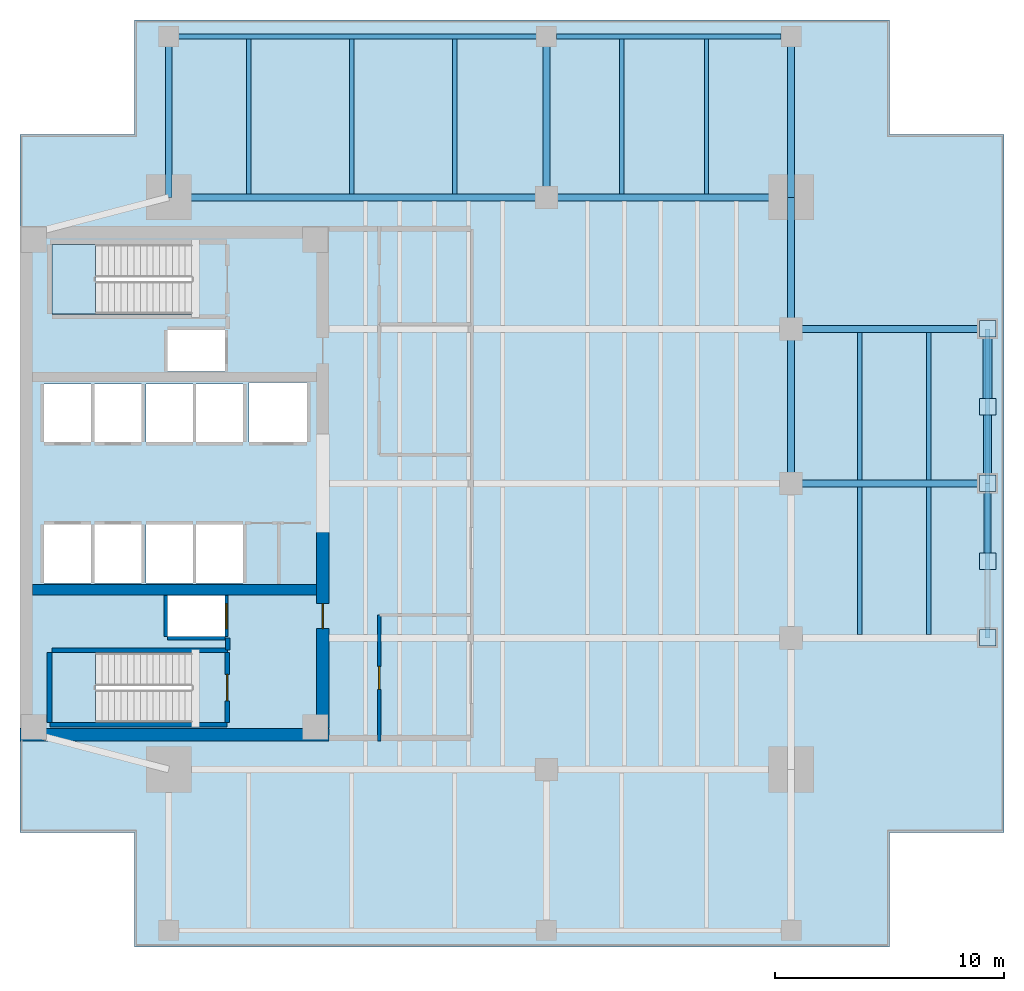
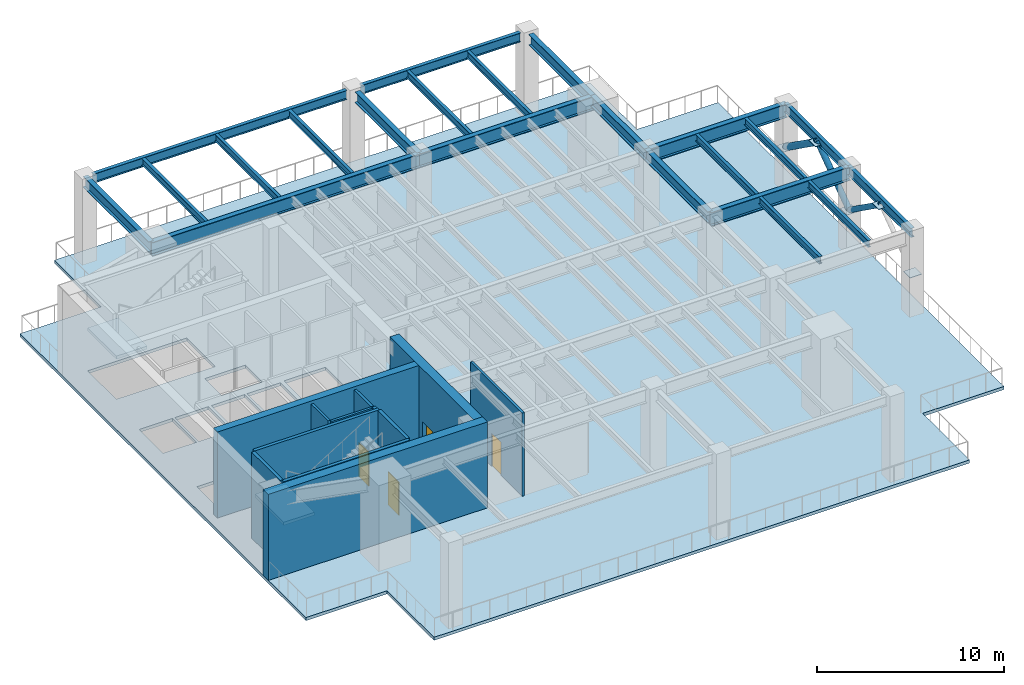
# One storey, part 2 of 8: 22 beams, 12 walls, 5 plates, 4 doors, 3 members, 3 slabs, 4 openings, 2 elements without a shape of their own.
"""IFC4 building model written with IfcOpenShell, lengths in metres."""

from ifc_helpers import new_model, si_unit, direction, frame, frame_2d, origin, origin_2d, place, context, subcontext, project, spatial, polyline, rectangle, hollow_circle, i_section, outline, extrude, material, layer, layer_set, material_profile, profile_set, type_object, element, fill, aggregate, save


model = new_model("IFC4")

# Units and contexts
model_context = context("Model", 3, precision=1e-05, world=origin(), true_north=direction((0.0, 1.0)))
body_context = subcontext(model_context, "Body", "Model", "MODEL_VIEW")
ifc_project = project(units=[si_unit("LENGTHUNIT", "METRE"), si_unit("AREAUNIT", "SQUARE_METRE"), si_unit("VOLUMEUNIT", "CUBIC_METRE"), si_unit("PLANEANGLEUNIT", "RADIAN"), si_unit("MASSUNIT", "GRAM", prefix="KILO")], contexts=[model_context])

# Site, building, storey
site_placement = place(None, origin())
site = spatial("IfcSite", under=ifc_project, at=site_placement, CompositionType="ELEMENT")
building_placement = place(site_placement, origin())
building = spatial("IfcBuilding", under=site, at=building_placement, Name="Kinhvarn Gate Tower", CompositionType="ELEMENT")
storey_placement = place(building_placement, frame((0.0, 0.0, 178.050048828125)))
storey = spatial("IfcBuildingStorey", under=building, at=storey_placement, Name="L47", CompositionType="ELEMENT", Elevation=178.050048828125)

# Beams
ifc_material_1 = material(Name="Steel S355", Category="steel")
ifc_material_profile_1 = material_profile(ifc_material_1, i_section(OverallWidth=0.300048828125, OverallDepth=0.89990234375, WebThickness=0.0185546875, FlangeThickness=0.034912109375, at=origin_2d()), Name="HEB 900")
ifc_profile_set_1 = profile_set([ifc_material_profile_1], Name="Steel S355")
beam_type_1 = type_object("IfcBeamType", Name="BM-HEB900", PredefinedType="BEAM", material=ifc_profile_set_1)
beam_1_placement = place(storey_placement, frame((11.0, 37.75, 4.969970703125), z_axis=(1.0, 0.0, 0.0), x_axis=(0.0, 1.0, 0.0)))
element("IfcBeam", 1, at=beam_1_placement, inside=storey, type_object=beam_type_1, Name="Floor Beam HG-20 (L47 MG-N1)", PredefinedType="BEAM", context=body_context, shape_type="SweptSolid", body=[
    extrude(i_section(OverallWidth=0.300048828125, OverallDepth=0.89990234375, WebThickness=0.0185546875, FlangeThickness=0.034912109375, at=origin_2d()), origin(), (0.0, 0.0, 1.0), 16.5),
])
beam_2_placement = place(storey_placement, frame((27.5, 37.75, 4.969970703125), z_axis=(1.0, 0.0, 0.0), x_axis=(0.0, 1.0, 0.0)))
element("IfcBeam", 2, at=beam_2_placement, inside=storey, type_object=beam_type_1, Name="Floor Beam HG-20 (L47 MG-N2)", PredefinedType="BEAM", context=body_context, shape_type="SweptSolid", body=[
    extrude(i_section(OverallWidth=0.300048828125, OverallDepth=0.89990234375, WebThickness=0.0185546875, FlangeThickness=0.034912109375, at=origin_2d()), origin(), (0.0, 0.0, 1.0), 10.699951171875),
])
for number, where, z_axis, x_axis, name in (
    (3, (38.199951171875, 25.25, 4.969970703125), (1.0, 0.0, 0.0), (0.0, 1.0, 0.0), "Floor Beam HG-20 (L47 EW2-Y25)"),
    (4, (38.199951171875, 32.0, 4.969970703125), (1.0, 0.0, 0.0), (0.0, 1.0, 0.0), "Floor Beam HG-20 (L47 EW2-Y32)"),
):
    element("IfcBeam", number, at=place(storey_placement, frame(where, z_axis=z_axis, x_axis=x_axis)), inside=storey, type_object=beam_type_1, Name=name, PredefinedType="BEAM", context=body_context, shape_type="SweptSolid", body=[
        extrude(i_section(OverallWidth=0.300048828125, OverallDepth=0.89990234375, WebThickness=0.0185546875, FlangeThickness=0.034912109375, at=origin_2d()), origin(), (0.0, 0.0, 1.0), 8.580078125),
    ])

# Members
ifc_material_profile_2 = material_profile(ifc_material_1, hollow_circle(Radius=0.161865234375, WallThickness=0.01611328125, at=origin_2d()), Name="CHS 323.9x16")
ifc_profile_set_2 = profile_set([ifc_material_profile_2], Name="Steel S355")
member_type_1 = type_object("IfcMemberType", Name="MBR-CHS323_9x16", PredefinedType="BRACE", material=ifc_profile_set_2)
member_1_placement = place(storey_placement, frame((46.780029296875, 21.85009765625, 4.919921875), z_axis=(0.0, 0.814704737563, -0.579876013121), x_axis=(-1.0, 0.0, 0.0)))
element("IfcMember", 5, at=member_1_placement, inside=storey, type_object=member_type_1, Name="Wind-Portal Header Brace BR-12 (CHS 323.9x16)", PredefinedType="BRACE", context=body_context, shape_type="SweptSolid", body=[
    extrude(hollow_circle(Radius=0.161865234375, WallThickness=0.01611328125, at=origin_2d()), origin(), (0.0, 0.0, 1.0), 4.173095703125),
])
ifc_material_profile_3 = material_profile(ifc_material_1, hollow_circle(Radius=0.177734375, WallThickness=0.01611328125, at=origin_2d()), Name="CHS 355.6x16")
ifc_profile_set_3 = profile_set([ifc_material_profile_3], Name="Steel S355")
member_type_2 = type_object("IfcMemberType", Name="MBR-CHS355_6x16", PredefinedType="STRUT", material=ifc_profile_set_3)
member_2_placement = place(storey_placement, frame((46.780029296875, 25.25, 2.5), z_axis=(0.0, 0.810632492751, 0.585555259302), x_axis=(-1.0, 0.0, 0.0)))
element("IfcMember", 6, at=member_2_placement, inside=storey, type_object=member_type_2, Name="Wind-Portal Header Brace SR-13 (CHS 355.6x16)", PredefinedType="STRUT", context=body_context, shape_type="SweptSolid", body=[
    extrude(hollow_circle(Radius=0.177734375, WallThickness=0.01611328125, at=origin_2d()), origin(), (0.0, 0.0, 1.0), 4.1328125),
])
ifc_material_profile_4 = material_profile(ifc_material_1, hollow_circle(Radius=0.203125, WallThickness=0.02001953125, at=origin_2d()), Name="CHS 406.4x20")
ifc_profile_set_4 = profile_set([ifc_material_profile_4], Name="Steel S355")
member_type_3 = type_object("IfcMemberType", Name="MBR-CHS406_4x20", PredefinedType="STRUT", material=ifc_profile_set_4)
member_3_placement = place(storey_placement, frame((46.780029296875, 28.60009765625, 4.919921875), z_axis=(0.0, 0.814704737563, -0.579876013121), x_axis=(-1.0, 0.0, 0.0)))
element("IfcMember", 7, at=member_3_placement, inside=storey, type_object=member_type_3, Name="Wind-Portal Header Brace SR-14 (CHS 406.4x20)", PredefinedType="STRUT", context=body_context, shape_type="SweptSolid", body=[
    extrude(hollow_circle(Radius=0.203125, WallThickness=0.02001953125, at=origin_2d()), origin(), (0.0, 0.0, 1.0), 4.173095703125),
])

# Beams
ifc_material_profile_5 = material_profile(ifc_material_1, i_section(OverallWidth=0.300048828125, OverallDepth=0.699951171875, WebThickness=0.01708984375, FlangeThickness=0.031982421875, at=origin_2d()), Name="HEB 700")
ifc_profile_set_5 = profile_set([ifc_material_profile_5], Name="Steel S355")
beam_type_2 = type_object("IfcBeamType", Name="STL-HEB700", PredefinedType="BEAM", material=ifc_profile_set_5)
beam_3_placement = place(storey_placement, frame((11.0, 37.75, 5.070068359375), z_axis=(0.0, 1.0, 0.0), x_axis=(-1.0, 0.0, 0.0)))
element("IfcBeam", 8, at=beam_3_placement, inside=storey, type_object=beam_type_2, Name="Floor Beam PG-18 (L47 MCW-N)", PredefinedType="BEAM", context=body_context, shape_type="SweptSolid", body=[
    extrude(i_section(OverallWidth=0.300048828125, OverallDepth=0.699951171875, WebThickness=0.01708984375, FlangeThickness=0.031982421875, at=origin_2d()), origin(), (0.0, 0.0, 1.0), 7.030029296875),
])
for number, where, z_axis, x_axis, name in (
    (9, (27.5, 37.75, 5.070068359375), (0.0, 1.0, 0.0), (-1.0, 0.0, 0.0), "Floor Beam PG-18 (L47 SP27-N-TIE)"),
    (10, (38.199951171875, 37.75, 5.070068359375), (0.0, 1.0, 0.0), (-1.0, 0.0, 0.0), "Floor Beam PG-18 (L47 MCE-N)"),
):
    element("IfcBeam", number, at=place(storey_placement, frame(where, z_axis=z_axis, x_axis=x_axis)), inside=storey, type_object=beam_type_2, Name=name, PredefinedType="BEAM", context=body_context, shape_type="SweptSolid", body=[
        extrude(i_section(OverallWidth=0.300048828125, OverallDepth=0.699951171875, WebThickness=0.01708984375, FlangeThickness=0.031982421875, at=origin_2d()), origin(), (0.0, 0.0, 1.0), 6.594970703125),
    ])
beam_4_placement = place(storey_placement, frame((38.199951171875, 25.25, 5.070068359375), z_axis=(0.0, 1.0, 0.0), x_axis=(-1.0, 0.0, 0.0)))
element("IfcBeam", 11, at=beam_4_placement, inside=storey, type_object=beam_type_2, Name="Floor Beam PG-18 (L47 MG-E-25)", PredefinedType="BEAM", context=body_context, shape_type="SweptSolid", body=[
    extrude(i_section(OverallWidth=0.300048828125, OverallDepth=0.699951171875, WebThickness=0.01708984375, FlangeThickness=0.031982421875, at=origin_2d()), origin(), (0.0, 0.0, 1.0), 6.75),
])
beam_5_placement = place(storey_placement, frame((38.199951171875, 32.0, 5.070068359375), z_axis=(0.0, 1.0, 0.0), x_axis=(-1.0, 0.0, 0.0)))
element("IfcBeam", 12, at=beam_5_placement, inside=storey, type_object=beam_type_2, Name="Floor Beam PG-18 (L47 MG-E-32)", PredefinedType="BEAM", context=body_context, shape_type="SweptSolid", body=[
    extrude(i_section(OverallWidth=0.300048828125, OverallDepth=0.699951171875, WebThickness=0.01708984375, FlangeThickness=0.031982421875, at=origin_2d()), origin(), (0.0, 0.0, 1.0), 5.75),
])
ifc_material_profile_6 = material_profile(ifc_material_1, i_section(OverallWidth=0.18994140625, OverallDepth=0.449951171875, WebThickness=0.009521484375, FlangeThickness=0.0146484375, at=origin_2d()), Name="IPE 450")
ifc_profile_set_6 = profile_set([ifc_material_profile_6], Name="Steel S355")
beam_type_3 = type_object("IfcBeamType", Name="STL-IPE450", PredefinedType="JOIST", material=ifc_profile_set_6)
for number, where, z_axis, x_axis, name in (
    (13, (41.199951171875, 18.64990234375, 5.195068359375), (0.0, 1.0, 0.0), (-1.0, 0.0, 0.0), "Floor Joist SB-06 (L47 JC-X412-1)"),
    (14, (41.199951171875, 25.39990234375, 5.195068359375), (0.0, 1.0, 0.0), (-1.0, 0.0, 0.0), "Floor Joist SB-06 (L47 JC-X412-2)"),
    (15, (44.2099609375, 18.64990234375, 5.195068359375), (0.0, 1.0, 0.0), (-1.0, 0.0, 0.0), "Floor Joist SB-06 (L47 JC-X442-1)"),
    (16, (44.2099609375, 25.39990234375, 5.195068359375), (0.0, 1.0, 0.0), (-1.0, 0.0, 0.0), "Floor Joist SB-06 (L47 JC-X442-2)"),
):
    element("IfcBeam", number, at=place(storey_placement, frame(where, z_axis=z_axis, x_axis=x_axis)), inside=storey, type_object=beam_type_3, Name=name, PredefinedType="JOIST", context=body_context, shape_type="SweptSolid", body=[
        extrude(i_section(OverallWidth=0.18994140625, OverallDepth=0.449951171875, WebThickness=0.009521484375, FlangeThickness=0.0146484375, at=origin_2d()), origin(), (0.0, 0.0, 1.0), 6.4501953125),
    ])
for number, where, z_axis, x_axis, name in (
    (17, (14.5, 37.89990234375, 5.195068359375), (0.0, 1.0, 0.0), (-1.0, 0.0, 0.0), "Floor Joist SB-06 (L47 JN-X145)"),
    (18, (19.0, 37.89990234375, 5.195068359375), (0.0, 1.0, 0.0), (-1.0, 0.0, 0.0), "Floor Joist SB-06 (L47 JN-X190)"),
    (19, (23.5, 37.89990234375, 5.195068359375), (0.0, 1.0, 0.0), (-1.0, 0.0, 0.0), "Floor Joist SB-06 (L47 JN-X235)"),
    (20, (30.800048828125, 37.89990234375, 5.195068359375), (0.0, 1.0, 0.0), (-1.0, 0.0, 0.0), "Floor Joist SB-06 (L47 JN-X308)"),
    (21, (34.5, 37.89990234375, 5.195068359375), (0.0, 1.0, 0.0), (-1.0, 0.0, 0.0), "Floor Joist SB-06 (L47 JN-X345)"),
):
    element("IfcBeam", number, at=place(storey_placement, frame(where, z_axis=z_axis, x_axis=x_axis)), inside=storey, type_object=beam_type_3, Name=name, PredefinedType="JOIST", context=body_context, shape_type="SweptSolid", body=[
        extrude(i_section(OverallWidth=0.18994140625, OverallDepth=0.449951171875, WebThickness=0.009521484375, FlangeThickness=0.0146484375, at=origin_2d()), origin(), (0.0, 0.0, 1.0), 6.77001953125),
    ])
ifc_material_profile_7 = material_profile(ifc_material_1, i_section(OverallWidth=0.219970703125, OverallDepth=0.60009765625, WebThickness=0.011962890625, FlangeThickness=0.01904296875, at=origin_2d()), Name="IPE 600")
ifc_profile_set_7 = profile_set([ifc_material_profile_7], Name="Steel S355")
beam_type_4 = type_object("IfcBeamType", Name="STL-IPE600", PredefinedType="SPANDREL", material=ifc_profile_set_7)
beam_6_placement = place(storey_placement, frame((11.43505859375, 44.780029296875, 5.119873046875), z_axis=(1.0, 0.0, 0.0), x_axis=(0.0, 1.0, 0.0)))
element("IfcBeam", 22, at=beam_6_placement, inside=storey, type_object=beam_type_4, Name="Floor Spandrel SB-09 (L47 SP-N1)", PredefinedType="SPANDREL", context=body_context, shape_type="SweptSolid", body=[
    extrude(i_section(OverallWidth=0.219970703125, OverallDepth=0.60009765625, WebThickness=0.011962890625, FlangeThickness=0.01904296875, at=origin_2d()), origin(), (0.0, 0.0, 1.0), 15.6298828125),
])
beam_7_placement = place(storey_placement, frame((27.93505859375, 44.780029296875, 5.119873046875), z_axis=(1.0, 0.0, 0.0), x_axis=(0.0, 1.0, 0.0)))
element("IfcBeam", 23, at=beam_7_placement, inside=storey, type_object=beam_type_4, Name="Floor Spandrel SB-09 (L47 SP-N2)", PredefinedType="SPANDREL", context=body_context, shape_type="SweptSolid", body=[
    extrude(i_section(OverallWidth=0.219970703125, OverallDepth=0.60009765625, WebThickness=0.011962890625, FlangeThickness=0.01904296875, at=origin_2d()), origin(), (0.0, 0.0, 1.0), 9.829833984375),
])
for number, where, z_axis, x_axis, name in (
    (24, (46.780029296875, 18.5, 5.119873046875), (0.0, 1.0, 0.0), (-1.0, 0.0, 0.0), "Floor Spandrel SB-09 (L47 SP-E2)"),
    (25, (46.780029296875, 25.25, 5.119873046875), (0.0, 1.0, 0.0), (-1.0, 0.0, 0.0), "Floor Spandrel SB-09 (L47 SP-E3)"),
):
    element("IfcBeam", number, at=place(storey_placement, frame(where, z_axis=z_axis, x_axis=x_axis)), inside=storey, type_object=beam_type_4, Name=name, PredefinedType="SPANDREL", context=body_context, shape_type="SweptSolid", body=[
        extrude(i_section(OverallWidth=0.219970703125, OverallDepth=0.60009765625, WebThickness=0.011962890625, FlangeThickness=0.01904296875, at=origin_2d()), origin(), (0.0, 0.0, 1.0), 6.75),
    ])

# Plates
ifc_layer_1 = layer(ifc_material_1, 0.02392578125)
ifc_layer_set_1 = layer_set([ifc_layer_1], Name="Steel S355")
plate_type_1 = type_object("IfcPlateType", Name="PLT-NODE-WN1", PredefinedType="USERDEFINED", material=ifc_layer_set_1)
plate_1_placement = place(storey_placement, frame((0.0, 0.0, 2.488037109375)))
element("IfcPlate", 26, at=plate_1_placement, inside=storey, type_object=plate_type_1, Name="Structural Node Cap Plate WN1", ObjectType="GUSSET_PLATE", PredefinedType="USERDEFINED", context=body_context, shape_type="SweptSolid", body=[
    extrude(outline(polyline([(46.419921875, 18.139892578125), (47.139892578125, 18.139892578125), (47.139892578125, 18.860107421875), (46.419921875, 18.860107421875), (46.419921875, 18.139892578125)])), origin(), (0.0, 0.0, 1.0), 0.02392578125),
])
ifc_layer_2 = layer(ifc_material_1, 0.02587890625)
ifc_layer_set_2 = layer_set([ifc_layer_2], Name="Steel S355")
plate_type_2 = type_object("IfcPlateType", Name="PLT-NODE-WN2", PredefinedType="USERDEFINED", material=ifc_layer_set_2)
plate_2_placement = place(storey_placement, frame((0.0, 0.0, 4.906982421875)))
element("IfcPlate", 27, at=plate_2_placement, inside=storey, type_object=plate_type_2, Name="Structural Node Cap Plate WN2", ObjectType="GUSSET_PLATE", PredefinedType="USERDEFINED", context=body_context, shape_type="SweptSolid", body=[
    extrude(outline(polyline([(46.419921875, 21.489990234375), (47.139892578125, 21.489990234375), (47.139892578125, 22.2099609375), (46.419921875, 22.2099609375), (46.419921875, 21.489990234375)])), origin(), (0.0, 0.0, 1.0), 0.02587890625),
])
plate_3_placement = place(storey_placement, frame((0.0, 0.0, 2.487060546875)))
element("IfcPlate", 28, at=plate_3_placement, inside=storey, type_object=plate_type_2, Name="Structural Node Cap Plate WN2", ObjectType="GUSSET_PLATE", PredefinedType="USERDEFINED", context=body_context, shape_type="SweptSolid", body=[
    extrude(outline(polyline([(46.419921875, 24.889892578125), (47.139892578125, 24.889892578125), (47.139892578125, 25.610107421875), (46.419921875, 25.610107421875), (46.419921875, 24.889892578125)])), origin(), (0.0, 0.0, 1.0), 0.02587890625),
])
plate_4_placement = place(storey_placement, frame((0.0, 0.0, 4.906982421875)))
element("IfcPlate", 29, at=plate_4_placement, inside=storey, type_object=plate_type_2, Name="Structural Node Cap Plate WN2", ObjectType="GUSSET_PLATE", PredefinedType="USERDEFINED", context=body_context, shape_type="SweptSolid", body=[
    extrude(outline(polyline([(46.419921875, 28.239990234375), (47.139892578125, 28.239990234375), (47.139892578125, 28.9599609375), (46.419921875, 28.9599609375), (46.419921875, 28.239990234375)])), origin(), (0.0, 0.0, 1.0), 0.02587890625),
])
plate_5_placement = place(storey_placement, frame((0.0, 0.0, 2.487060546875)))
element("IfcPlate", 30, at=plate_5_placement, inside=storey, type_object=plate_type_2, Name="Structural Node Cap Plate WN2", ObjectType="GUSSET_PLATE", PredefinedType="USERDEFINED", context=body_context, shape_type="SweptSolid", body=[
    extrude(outline(polyline([(46.419921875, 31.639892578125), (47.139892578125, 31.639892578125), (47.139892578125, 32.360107421875), (46.419921875, 32.360107421875), (46.419921875, 31.639892578125)])), origin(), (0.0, 0.0, 1.0), 0.02587890625),
])

# Stair, slab
ifc_material_2 = material(Name="Concrete C40/50", Category="concrete")
stair_type = type_object("IfcStairType", Name="STR-DLG-175", PredefinedType="HALF_TURN_STAIR", material=ifc_material_2)
stair_1_placement = place(storey_placement, origin())
stair_1 = element("IfcStair", 31, at=stair_1_placement, inside=storey, type_object=stair_type, Name="L47 Core Smokeproof Exit Stair ST1", PredefinedType="HALF_TURN_STAIR")
ifc_layer_3 = layer(ifc_material_2, 0.199951171875)
ifc_layer_set_3 = layer_set([ifc_layer_3], Name="Concrete C40/50")
slab_type_1 = type_object("IfcSlabType", Name="SLB-ST-LND", PredefinedType="LANDING", material=ifc_layer_set_3)
slab_1_placement = place(storey_placement, frame((0.0, 0.0, 2.599853515625)))
slab_1 = element("IfcSlab", 32, at=slab_1_placement, type_object=slab_type_1, Name="ST1 landing 1", PredefinedType="LANDING", context=body_context, shape_type="SweptSolid", body=[
    extrude(outline(polyline([(7.800048828125, 17.85009765625), (5.89990234375, 17.85009765625), (5.89990234375, 14.800048828125), (7.800048828125, 14.800048828125), (7.800048828125, 17.85009765625)])), origin(), (0.0, 0.0, 1.0), 0.2001953125),
])
aggregate(stair_1, [slab_1])

stair_2_placement = place(storey_placement, origin())
stair_2 = element("IfcStair", 33, at=stair_2_placement, inside=storey, type_object=stair_type, Name="L47 Core Smokeproof Exit Stair ST2", PredefinedType="HALF_TURN_STAIR")
slab_2_placement = place(storey_placement, frame((0.0, 0.0, 2.599853515625)))
slab_2 = element("IfcSlab", 34, at=slab_2_placement, type_object=slab_type_1, Name="ST2 landing 1", PredefinedType="LANDING", context=body_context, shape_type="SweptSolid", body=[
    extrude(outline(polyline([(7.800048828125, 35.699951171875), (5.89990234375, 35.699951171875), (5.89990234375, 32.64990234375), (7.800048828125, 32.64990234375), (7.800048828125, 35.699951171875)])), origin(), (0.0, 0.0, 1.0), 0.2001953125),
])
aggregate(stair_2, [slab_2])

# Slab
ifc_material_3 = material(Name="Concrete C50/60", Category="concrete")
ifc_layer_4 = layer(ifc_material_3, 0.199951171875)
ifc_layer_set_4 = layer_set([ifc_layer_4], Name="Concrete C50/60")
slab_type_2 = type_object("IfcSlabType", Name="SLB-WPT-200", PredefinedType="FLOOR", material=ifc_layer_set_4)
slab_3_placement = place(storey_placement, frame((0.0, 0.0, -0.199951171875)))
element("IfcSlab", 35, at=slab_3_placement, inside=storey, type_object=slab_type_2, Name="Wind Portal Aero Deck Slab L47", PredefinedType="FLOOR", context=body_context, shape_type="SweptSolid", body=[
    extrude(outline(polyline([(9.5, 5.0), (42.5, 5.0), (42.5, 10.0), (47.5, 10.0), (47.5, 40.5), (42.5, 40.5), (42.5, 45.5), (9.5, 45.5), (9.5, 40.5), (4.5, 40.5), (4.5, 10.0), (9.5, 10.0), (9.5, 5.0)]), holes=[polyline([(5.89990234375, 14.800048828125), (12.0, 14.800048828125), (12.0, 17.85009765625), (5.89990234375, 17.85009765625), (5.89990234375, 14.800048828125)]), polyline([(5.89990234375, 32.64990234375), (12.0, 32.64990234375), (12.0, 35.699951171875), (5.89990234375, 35.699951171875), (5.89990234375, 32.64990234375)]), polyline([(5.550048828125, 20.89990234375), (7.60009765625, 20.89990234375), (7.60009765625, 23.449951171875), (5.550048828125, 23.449951171875), (5.550048828125, 20.89990234375)]), polyline([(7.75, 20.89990234375), (9.800048828125, 20.89990234375), (9.800048828125, 23.449951171875), (7.75, 23.449951171875), (7.75, 20.89990234375)]), polyline([(5.550048828125, 27.050048828125), (7.60009765625, 27.050048828125), (7.60009765625, 29.60009765625), (5.550048828125, 29.60009765625), (5.550048828125, 27.050048828125)]), polyline([(7.75, 27.050048828125), (9.800048828125, 27.050048828125), (9.800048828125, 29.60009765625), (7.75, 29.60009765625), (7.75, 27.050048828125)]), polyline([(10.0, 20.89990234375), (12.050048828125, 20.89990234375), (12.050048828125, 23.449951171875), (10.0, 23.449951171875), (10.0, 20.89990234375)]), polyline([(12.199951171875, 20.89990234375), (14.25, 20.89990234375), (14.25, 23.449951171875), (12.199951171875, 23.449951171875), (12.199951171875, 20.89990234375)]), polyline([(10.0, 27.050048828125), (12.050048828125, 27.050048828125), (12.050048828125, 29.60009765625), (10.0, 29.60009765625), (10.0, 27.050048828125)]), polyline([(12.199951171875, 27.050048828125), (14.25, 27.050048828125), (14.25, 29.60009765625), (12.199951171875, 29.60009765625), (12.199951171875, 27.050048828125)]), polyline([(14.5, 27.050048828125), (17.050048828125, 27.050048828125), (17.050048828125, 29.64990234375), (14.5, 29.64990234375), (14.5, 27.050048828125)]), polyline([(10.949951171875, 18.550048828125), (13.449951171875, 18.550048828125), (13.449951171875, 20.35009765625), (10.949951171875, 20.35009765625), (10.949951171875, 18.550048828125)]), polyline([(10.949951171875, 30.14990234375), (13.449951171875, 30.14990234375), (13.449951171875, 31.949951171875), (10.949951171875, 31.949951171875), (10.949951171875, 30.14990234375)])]), origin(), (0.0, 0.0, 1.0), 0.199951171875),
])

# Walls
ifc_layer_5 = layer(ifc_material_3, 0.449951171875)
ifc_layer_set_5 = layer_set([ifc_layer_5], Name="Concrete C50/60")
wall_type_1 = type_object("IfcWallType", Name="WL-CORE-450", PredefinedType="SHEAR", material=ifc_layer_set_5)
wall_1_placement = place(storey_placement, frame((5.050048828125, 20.60009765625, 0.0), z_axis=(0.0, 0.0, 1.0), x_axis=(1.0, 0.0, 0.0)))
element("IfcWall", 36, at=wall_1_placement, inside=storey, type_object=wall_type_1, Name="Core South Spine Shear Wall L47 450 mm", PredefinedType="SHEAR", context=body_context, shape_type="SweptSolid", body=[
    extrude(rectangle(XDim=12.39990234375, YDim=0.449951171875, at=frame_2d((6.199951171875, 0.0))), origin(), (0.0, 0.0, 1.0), 5.599853515625),
])
ifc_material_4 = material(Name="Concrete C60/75", Category="concrete")
ifc_layer_6 = layer(ifc_material_4, 0.550048828125)
ifc_layer_set_6 = layer_set([ifc_layer_6], Name="Concrete C60/75")
wall_type_2 = type_object("IfcWallType", Name="WL-CORE-550", PredefinedType="SHEAR", material=ifc_layer_set_6)
wall_2_placement = place(storey_placement, frame((4.5, 14.27490234375, 0.0), z_axis=(0.0, 0.0, 1.0), x_axis=(1.0, 0.0, 0.0)))
element("IfcWall", 37, at=wall_2_placement, inside=storey, type_object=wall_type_2, Name="Core South Shear Wall L47 550 mm", PredefinedType="SHEAR", context=body_context, shape_type="SweptSolid", body=[
    extrude(rectangle(XDim=13.5, YDim=0.550048828125, at=frame_2d((6.75, 0.0))), origin(), (0.0, 0.0, 1.0), 5.599853515625),
])

# Wall, opening, door
wall_3_placement = place(storey_placement, frame((17.72509765625, 14.550048828125, 0.0), z_axis=(0.0, 0.0, 1.0), x_axis=(0.0, 1.0, 0.0)))
wall_3 = element("IfcWall", 38, at=wall_3_placement, inside=storey, type_object=wall_type_2, Name="Core East-South Shear Pier L47 550 mm", PredefinedType="SHEAR", context=body_context, shape_type="SweptSolid", body=[
    extrude(rectangle(XDim=8.89990234375, YDim=0.550048828125, at=frame_2d((4.449951171875, 0.0))), origin(), (0.0, 0.0, 1.0), 5.599853515625),
])
opening_1_placement = place(wall_3_placement, frame((4.35009765625, 0.0, 0.0)))
opening_1 = element("IfcOpeningElement", 39, at=opening_1_placement, cuts=wall_3, Name="Opening FD-02", PredefinedType="OPENING", context=body_context, shape_type="SweptSolid", body=[
    extrude(rectangle(XDim=1.10009765625, YDim=2.14990234375, at=frame_2d((0.550048828125, 1.074951171875))), frame((0.0, 0.28515625, 0.0), z_axis=(0.0, -1.0, 0.0), x_axis=(1.0, 0.0, 0.0)), (0.0, 0.0, 1.0), 0.570068359375),
])
ifc_material_5 = material(Name="Anodised aluminium AW-6063", Category="aluminium")
door_type_1 = type_object("IfcDoorType", Name="DR-FD-1100", OperationType="NOTDEFINED", PredefinedType="DOOR", material=ifc_material_5)
door_1_placement = place(opening_1_placement, origin())
door_1 = element("IfcDoor", 40, at=door_1_placement, inside=storey, type_object=door_type_1, Name="Firefighting Lobby Core Door (L47)", OperationType="SINGLE_SWING_RIGHT", OverallHeight=2.14990234375, OverallWidth=1.10009765625, PredefinedType="DOOR", context=body_context, shape_type="SweptSolid", body=[
    extrude(rectangle(XDim=1.10009765625, YDim=2.14990234375, at=frame_2d((0.550048828125, 1.074951171875))), frame((0.0, 0.02490234375, 0.0), z_axis=(0.0, -1.0, 0.0), x_axis=(1.0, 0.0, 0.0)), (0.0, 0.0, 1.0), 0.050048828125),
])
fill(opening_1, door_1)

ifc_material_6 = material(Name="Gypsum acoustic partition board")
ifc_layer_7 = layer(ifc_material_6, 0.14990234375)
ifc_layer_set_7 = layer_set([ifc_layer_7], Name="Gypsum acoustic partition board")
wall_type_3 = type_object("IfcWallType", Name="WL-PRT-150F", PredefinedType="PARTITIONING", material=ifc_layer_set_7)
wall_4_placement = place(storey_placement, frame((20.199951171875, 14.0, 0.0), z_axis=(0.0, 0.0, 1.0), x_axis=(0.0, 1.0, 0.0)))
wall_4 = element("IfcWall", 41, at=wall_4_placement, inside=storey, type_object=wall_type_3, Name="Interior Partition PW-150F (L47)", PredefinedType="PARTITIONING", context=body_context, shape_type="SweptSolid", body=[
    extrude(rectangle(XDim=5.5, YDim=0.14990234375, at=frame_2d((2.75, 0.0))), origin(), (0.0, 0.0, 1.0), 5.419921875),
])
opening_2_placement = place(wall_4_placement, frame((2.25, 0.0, 0.0)))
opening_2 = element("IfcOpeningElement", 42, at=opening_2_placement, cuts=wall_4, Name="Opening ID-02", PredefinedType="OPENING", context=body_context, shape_type="SweptSolid", body=[
    extrude(rectangle(XDim=1.0, YDim=2.14990234375, at=frame_2d((0.5, 1.074951171875))), frame((0.0, 0.0849609375, 0.0), z_axis=(0.0, -1.0, 0.0), x_axis=(1.0, 0.0, 0.0)), (0.0, 0.0, 1.0), 0.169921875),
])
door_type_2 = type_object("IfcDoorType", Name="DR-INT-1000", OperationType="NOTDEFINED", PredefinedType="DOOR", material=ifc_material_5)
door_2_placement = place(opening_2_placement, origin())
door_2 = element("IfcDoor", 43, at=door_2_placement, inside=storey, type_object=door_type_2, Name="Standard Office & Meeting Room Door 1000x2150 mm (L47)", OperationType="SINGLE_SWING_RIGHT", OverallHeight=2.14990234375, OverallWidth=1.0, PredefinedType="DOOR", context=body_context, shape_type="SweptSolid", body=[
    extrude(rectangle(XDim=1.0, YDim=2.14990234375, at=frame_2d((0.5, 1.074951171875))), frame((0.0, 0.02490234375, 0.0), z_axis=(0.0, -1.0, 0.0), x_axis=(1.0, 0.0, 0.0)), (0.0, 0.0, 1.0), 0.050048828125),
])
fill(opening_2, door_2)

# Walls
ifc_layer_8 = layer(ifc_material_6, 0.199951171875)
ifc_layer_set_8 = layer_set([ifc_layer_8], Name="Gypsum acoustic partition board")
wall_type_4 = type_object("IfcWallType", Name="WL-PRT-200", PredefinedType="PARTITIONING", material=ifc_layer_set_8)
wall_5_placement = place(storey_placement, frame((13.580078125, 17.9599609375, 0.0), z_axis=(0.0, 0.0, 1.0), x_axis=(0.0, 1.0, 0.0)))
element("IfcWall", 44, at=wall_5_placement, inside=storey, type_object=wall_type_4, Name="Interior Partition PW-200 (L47)", PredefinedType="PARTITIONING", context=body_context, shape_type="SweptSolid", body=[
    extrude(rectangle(XDim=0.5400390625, YDim=0.199951171875, at=frame_2d((0.27001953125, 0.0))), origin(), (0.0, 0.0, 1.0), 5.419921875),
])
ifc_layer_9 = layer(ifc_material_6, 0.14990234375)
ifc_layer_set_9 = layer_set([ifc_layer_9], Name="Gypsum acoustic partition board")
wall_type_5 = type_object("IfcWallType", Name="WL-SHF-150", PredefinedType="PARTITIONING", material=ifc_layer_set_9)
wall_6_placement = place(storey_placement, frame((10.949951171875, 18.47509765625, 0.0), z_axis=(0.0, 0.0, 1.0), x_axis=(1.0, 0.0, 0.0)))
element("IfcWall", 45, at=wall_6_placement, inside=storey, type_object=wall_type_5, Name="Elevator FF1 Hoistway Wall S (L47)", PredefinedType="PARTITIONING", context=body_context, shape_type="SweptSolid", body=[
    extrude(rectangle(XDim=2.5, YDim=0.14990234375, at=frame_2d((1.25, 0.0))), origin(), (0.0, 0.0, 1.0), 5.419921875),
])
wall_7_placement = place(storey_placement, frame((10.875, 18.550048828125, 0.0), z_axis=(0.0, 0.0, 1.0), x_axis=(0.0, 1.0, 0.0)))
element("IfcWall", 46, at=wall_7_placement, inside=storey, type_object=wall_type_5, Name="Elevator FF1 Hoistway Wall W (L47)", PredefinedType="PARTITIONING", context=body_context, shape_type="SweptSolid", body=[
    extrude(rectangle(XDim=1.800048828125, YDim=0.14990234375, at=frame_2d((0.89990234375, 0.0))), origin(), (0.0, 0.0, 1.0), 5.419921875),
])

# Wall, opening, door
wall_8_placement = place(storey_placement, frame((13.52490234375, 18.550048828125, 0.0), z_axis=(0.0, 0.0, 1.0), x_axis=(0.0, 1.0, 0.0)))
wall_8 = element("IfcWall", 47, at=wall_8_placement, inside=storey, type_object=wall_type_5, Name="Elevator FF1 Landing Wall (L47)", PredefinedType="PARTITIONING", context=body_context, shape_type="SweptSolid", body=[
    extrude(rectangle(XDim=1.800048828125, YDim=0.14990234375, at=frame_2d((0.89990234375, 0.0))), origin(), (0.0, 0.0, 1.0), 5.419921875),
])
opening_3_placement = place(wall_8_placement, frame((0.35009765625, 0.0, 0.0)))
opening_3 = element("IfcOpeningElement", 48, at=opening_3_placement, cuts=wall_8, Name="Opening LD-03", PredefinedType="OPENING", context=body_context, shape_type="SweptSolid", body=[
    extrude(rectangle(XDim=1.10009765625, YDim=2.199951171875, at=frame_2d((0.550048828125, 1.10009765625))), frame((0.0, 0.0849609375, 0.0), z_axis=(0.0, -1.0, 0.0), x_axis=(1.0, 0.0, 0.0)), (0.0, 0.0, 1.0), 0.169921875),
])
door_type_3 = type_object("IfcDoorType", Name="DR-LND-FF", OperationType="NOTDEFINED", PredefinedType="DOOR", material=ifc_material_5)
door_3_placement = place(opening_3_placement, origin())
door_3 = element("IfcDoor", 49, at=door_3_placement, inside=storey, type_object=door_type_3, Name="Elevator FF1 Sliding Landing Door (L47)", OperationType="DOUBLE_DOOR_SLIDING", OverallHeight=2.199951171875, OverallWidth=1.10009765625, PredefinedType="DOOR", context=body_context, shape_type="SweptSolid", body=[
    extrude(rectangle(XDim=1.10009765625, YDim=2.199951171875, at=frame_2d((0.550048828125, 1.10009765625))), frame((0.0, 0.02490234375, 0.0), z_axis=(0.0, -1.0, 0.0), x_axis=(1.0, 0.0, 0.0)), (0.0, 0.0, 1.0), 0.050048828125),
])
fill(opening_3, door_3)

# Walls
ifc_layer_10 = layer(ifc_material_2, 0.199951171875)
ifc_layer_set_10 = layer_set([ifc_layer_10], Name="Concrete C40/50")
wall_type_6 = type_object("IfcWallType", Name="WL-SHF-200", PredefinedType="SOLIDWALL", material=ifc_layer_set_10)
wall_9_placement = place(storey_placement, frame((5.800048828125, 14.699951171875, 0.0), z_axis=(0.0, 0.0, 1.0), x_axis=(1.0, 0.0, 0.0)))
element("IfcWall", 50, at=wall_9_placement, inside=storey, type_object=wall_type_6, Name="Stair ST1 South Shaft Wall (L47)", PredefinedType="SOLIDWALL", context=body_context, shape_type="SweptSolid", body=[
    extrude(rectangle(XDim=7.75, YDim=0.199951171875, at=frame_2d((3.875, 0.0))), origin(), (0.0, 0.0, 1.0), 5.599853515625),
])
wall_10_placement = place(storey_placement, frame((5.7900390625, 14.800048828125, 0.0), z_axis=(0.0, 0.0, 1.0), x_axis=(0.0, 1.0, 0.0)))
element("IfcWall", 51, at=wall_10_placement, inside=storey, type_object=wall_type_6, Name="Stair ST1 West Shaft Wall (L47)", PredefinedType="SOLIDWALL", context=body_context, shape_type="SweptSolid", body=[
    extrude(rectangle(XDim=3.050048828125, YDim=0.199951171875, at=frame_2d((1.52490234375, 0.0))), origin(), (0.0, 0.0, 1.0), 5.599853515625),
])
wall_11_placement = place(storey_placement, frame((5.89990234375, 17.9599609375, 0.0), z_axis=(0.0, 0.0, 1.0), x_axis=(1.0, 0.0, 0.0)))
element("IfcWall", 52, at=wall_11_placement, inside=storey, type_object=wall_type_6, Name="Stair ST1 North Shaft Wall (L47)", PredefinedType="SOLIDWALL", context=body_context, shape_type="SweptSolid", body=[
    extrude(rectangle(XDim=7.66015625, YDim=0.199951171875, at=frame_2d((3.830078125, 0.0))), origin(), (0.0, 0.0, 1.0), 5.599853515625),
])

# Wall, opening, door
wall_12_placement = place(storey_placement, frame((13.56005859375, 14.800048828125, 0.0), z_axis=(0.0, 0.0, 1.0), x_axis=(0.0, 1.0, 0.0)))
wall_12 = element("IfcWall", 53, at=wall_12_placement, inside=storey, type_object=wall_type_6, Name="Stair ST1 East Entry Wall (L47)", PredefinedType="SOLIDWALL", context=body_context, shape_type="SweptSolid", body=[
    extrude(rectangle(XDim=3.050048828125, YDim=0.199951171875, at=frame_2d((1.52490234375, 0.0))), origin(), (0.0, 0.0, 1.0), 5.599853515625),
])
opening_4_placement = place(wall_12_placement, frame((0.949951171875, 0.0, 0.0)))
opening_4 = element("IfcOpeningElement", 54, at=opening_4_placement, cuts=wall_12, Name="Opening FD-01", PredefinedType="OPENING", context=body_context, shape_type="SweptSolid", body=[
    extrude(rectangle(XDim=1.14990234375, YDim=2.14990234375, at=frame_2d((0.574951171875, 1.074951171875))), frame((0.0, 0.10986328125, 0.0), z_axis=(0.0, -1.0, 0.0), x_axis=(1.0, 0.0, 0.0)), (0.0, 0.0, 1.0), 0.219970703125),
])
door_type_4 = type_object("IfcDoorType", Name="DR-ST-1150", OperationType="NOTDEFINED", PredefinedType="DOOR", material=ifc_material_5)
door_4_placement = place(opening_4_placement, origin())
door_4 = element("IfcDoor", 55, at=door_4_placement, inside=storey, type_object=door_type_4, Name="Exit Stair ST1 Fire Door (L47)", OperationType="SINGLE_SWING_LEFT", OverallHeight=2.14990234375, OverallWidth=1.14990234375, PredefinedType="DOOR", context=body_context, shape_type="SweptSolid", body=[
    extrude(rectangle(XDim=1.14990234375, YDim=2.14990234375, at=frame_2d((0.574951171875, 1.074951171875))), frame((0.0, 0.02490234375, 0.0), z_axis=(0.0, -1.0, 0.0), x_axis=(1.0, 0.0, 0.0)), (0.0, 0.0, 1.0), 0.050048828125),
])
fill(opening_4, door_4)

save(model, "model.ifc")
